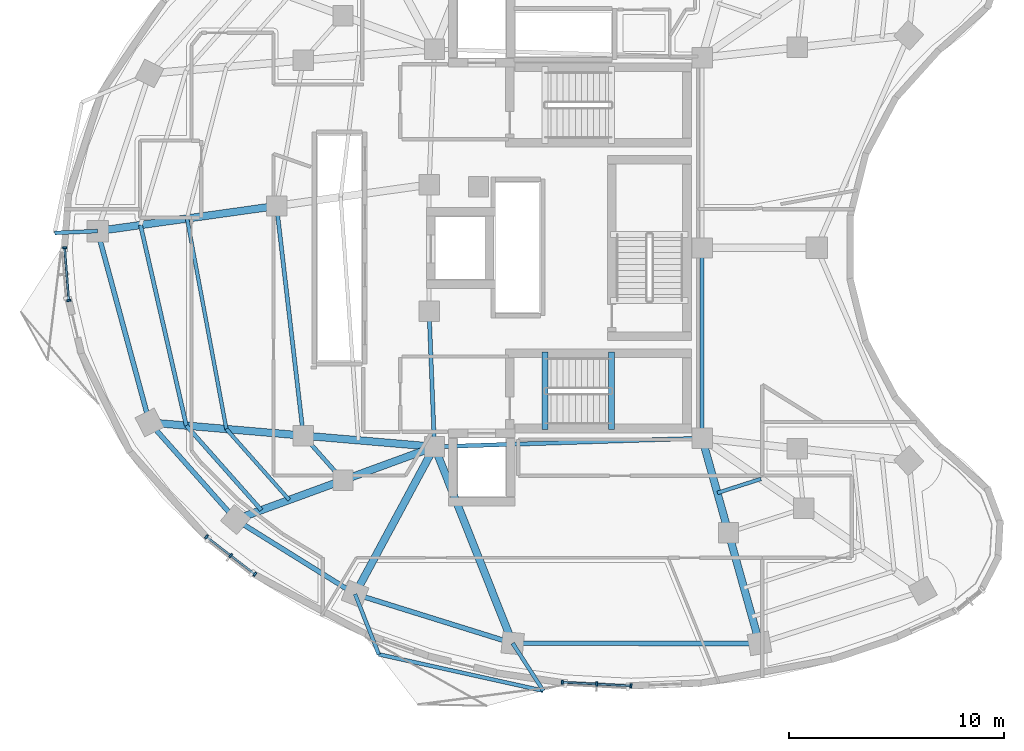
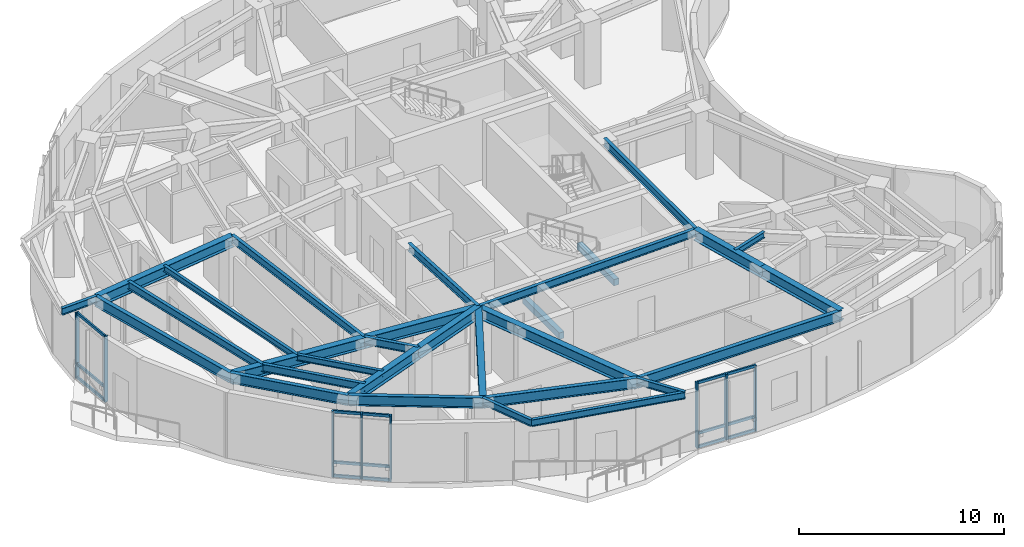
# One storey, part 2 of 13: 30 beams, 23 members, 3 elements without a shape of their own.
"""IFC4 building model written with IfcOpenShell, lengths in metres."""

from ifc_helpers import new_model, si_unit, direction, frame, origin, origin_2d, place, context, subcontext, project, spatial, rectangle, i_section, extrude, material, layer, layer_set, material_profile, profile_set, type_object, element, aggregate, save


model = new_model("IFC4")

# Units and contexts
model_context = context("Model", 3, precision=1e-05, world=origin(), true_north=direction((0.0, 1.0)))
body_context = subcontext(model_context, "Body", "Model", "MODEL_VIEW")
ifc_project = project(units=[si_unit("LENGTHUNIT", "METRE"), si_unit("AREAUNIT", "SQUARE_METRE"), si_unit("VOLUMEUNIT", "CUBIC_METRE"), si_unit("PLANEANGLEUNIT", "RADIAN"), si_unit("MASSUNIT", "GRAM", prefix="KILO")], contexts=[model_context])

# Site, building, storey
site_placement = place(None, origin())
site = spatial("IfcSite", under=ifc_project, at=site_placement, CompositionType="ELEMENT")
building_placement = place(site_placement, origin())
building = spatial("IfcBuilding", under=site, at=building_placement, Name="Korentha Bioscience Tower", CompositionType="ELEMENT")
storey_placement = place(building_placement, frame((0.0, 0.0, 192.0)))
storey = spatial("IfcBuildingStorey", under=building, at=storey_placement, Name="L44", CompositionType="ELEMENT", Elevation=192.0)

# Beams
ifc_material_1 = material(Name="Concrete C50", Category="concrete")
ifc_material_profile_1 = material_profile(ifc_material_1, rectangle(XDim=0.280029296875, YDim=0.3798828125, at=origin_2d()), Name="Concrete C50")
ifc_profile_set_1 = profile_set([ifc_material_profile_1], Name="Concrete C50 (ST-HB380)")
beam_type_1 = type_object("IfcBeamType", Name="Concrete Stair Header Beam RC 280x380", PredefinedType="BEAM", material=ifc_profile_set_1)
for number, where, z_axis, x_axis, name in (
    (1, (30.25, 18.550048828125, -0.18994140625), (0.0, 1.0, 0.0), (-1.0, 0.0, 0.0), "L44 ST-2 Concrete Stair Header Beam"),
    (2, (33.330078125, 18.550048828125, 1.909912109375), (0.0, 1.0, 0.0), (-1.0, 0.0, 0.0), "L44 ST-2 Half-Landing Header Beam 1"),
):
    element("IfcBeam", number, at=place(storey_placement, frame(where, z_axis=z_axis, x_axis=x_axis)), inside=storey, type_object=beam_type_1, Name=name, PredefinedType="BEAM", context=body_context, shape_type="SweptSolid", body=[
        extrude(rectangle(XDim=0.280029296875, YDim=0.3798828125, at=origin_2d()), origin(), (0.0, 0.0, 1.0), 3.599853515625),
    ])
ifc_material_2 = material(Name="Steel S355", Category="steel")
ifc_material_profile_2 = material_profile(ifc_material_2, i_section(OverallWidth=0.18994140625, OverallDepth=0.45703125, WebThickness=0.009033203125, FlangeThickness=0.014404296875, at=origin_2d()), Name="Steel S355")
ifc_profile_set_2 = profile_set([ifc_material_profile_2], Name="Steel S355 (MB-460)")
beam_type_2 = type_object("IfcBeamType", Name="Mid-Ring Tie Girder W460x74", PredefinedType="BEAM", material=ifc_profile_set_2)
beam_1_placement = place(storey_placement, frame((17.75341796875, 28.95458984375, 3.67138671875), z_axis=(0.115840395246, -0.993267840428, 0.0), x_axis=(0.993267840428, 0.115840395246, 0.0)))
element("IfcBeam", 3, at=beam_1_placement, inside=storey, type_object=beam_type_2, Name="L44 Mid-Ring Tie Girder 07", PredefinedType="BEAM", context=body_context, shape_type="SweptSolid", body=[
    extrude(i_section(OverallWidth=0.18994140625, OverallDepth=0.45703125, WebThickness=0.009033203125, FlangeThickness=0.014404296875, at=origin_2d()), origin(), (0.0, 0.0, 1.0), 10.757080078125),
])
beam_2_placement = place(storey_placement, frame((18.99951171875, 18.27001953125, 3.67138671875), z_axis=(0.663512238321, -0.748165429299, 0.0), x_axis=(0.748165429299, 0.663512238321, 0.0)))
element("IfcBeam", 4, at=beam_2_placement, inside=storey, type_object=beam_type_2, Name="L44 Mid-Ring Tie Girder 08", PredefinedType="BEAM", context=body_context, shape_type="SweptSolid", body=[
    extrude(i_section(OverallWidth=0.18994140625, OverallDepth=0.45703125, WebThickness=0.009033203125, FlangeThickness=0.014404296875, at=origin_2d()), origin(), (0.0, 0.0, 1.0), 2.77734375),
])
beam_3_placement = place(storey_placement, frame((24.85009765625, 24.050048828125, 3.67138671875), z_axis=(0.039651025576, -0.999213588864, 0.0), x_axis=(0.999213588864, 0.039651025576, 0.0)))
element("IfcBeam", 5, at=beam_3_placement, inside=storey, type_object=beam_type_2, Name="L44 Core Ring Tie Girder 04", PredefinedType="BEAM", context=body_context, shape_type="SweptSolid", body=[
    extrude(i_section(OverallWidth=0.18994140625, OverallDepth=0.45703125, WebThickness=0.009033203125, FlangeThickness=0.014404296875, at=origin_2d()), origin(), (0.0, 0.0, 1.0), 6.304931640625),
])
beam_4_placement = place(storey_placement, frame((25.10009765625, 17.75, 3.67138671875), z_axis=(0.999484526071, 0.032104238723, 0.0), x_axis=(-0.032104238723, 0.999484526071, 0.0)))
element("IfcBeam", 6, at=beam_4_placement, inside=storey, type_object=beam_type_2, Name="L44 Core Ring Tie Girder 05", PredefinedType="BEAM", context=body_context, shape_type="SweptSolid", body=[
    extrude(i_section(OverallWidth=0.18994140625, OverallDepth=0.45703125, WebThickness=0.009033203125, FlangeThickness=0.014404296875, at=origin_2d()), origin(), (0.0, 0.0, 1.0), 12.456298828125),
])
beam_5_placement = place(storey_placement, frame((37.550048828125, 18.14990234375, 3.67138671875), z_axis=(0.0, 1.0, 0.0), x_axis=(-1.0, 0.0, 0.0)))
element("IfcBeam", 7, at=beam_5_placement, inside=storey, type_object=beam_type_2, Name="L44 Core Ring Tie Girder 06", PredefinedType="BEAM", context=body_context, shape_type="SweptSolid", body=[
    extrude(i_section(OverallWidth=0.18994140625, OverallDepth=0.45703125, WebThickness=0.009033203125, FlangeThickness=0.014404296875, at=origin_2d()), origin(), (0.0, 0.0, 1.0), 8.85009765625),
])

# Curtain wall, members
ifc_material_3 = material(Name="Thermally Broken Aluminium Frame", Category="aluminium")
ifc_layer = layer(ifc_material_3, 0.219970703125, Name="Thermally Broken Aluminium Frame")
ifc_layer_set = layer_set([ifc_layer], Name="Thermally Broken Aluminium Frame (CW-T2)")
curtain_wall_type = type_object("IfcCurtainWallType", Name="Solar-Screened Lab Unitised Curtain Wall CW-T2", PredefinedType="USERDEFINED", material=ifc_layer_set)
curtain_wall_1_placement = place(storey_placement, origin())
curtain_wall_1 = element("IfcCurtainWall", 8, at=curtain_wall_1_placement, inside=storey, type_object=curtain_wall_type, Name="L44 Curtain Wall 19", ObjectType="UNITISED", PredefinedType="USERDEFINED")
ifc_material_4 = material(Name="Anodised Aluminium 6063-T6", Category="aluminium")
ifc_material_profile_3 = material_profile(ifc_material_4, rectangle(XDim=0.090087890625, YDim=0.199951171875, at=origin_2d()), Name="Anodised Aluminium 6063-T6")
ifc_profile_set_3 = profile_set([ifc_material_profile_3], Name="Anodised Aluminium 6063-T6 (CW-MUL)")
member_type_1 = type_object("IfcMemberType", Name="Mullion RECT 90x200", PredefinedType="MULLION", material=ifc_profile_set_3)
member_1_placement = place(storey_placement, frame((7.89599609375, 27.007568359375, 0.0), z_axis=(0.0, 0.0, 1.0), x_axis=(0.078030772566, -0.996950950916, 0.0)))
member_1 = element("IfcMember", 9, at=member_1_placement, type_object=member_type_1, Name="CW-L44-19 Mullion 1", PredefinedType="MULLION", context=body_context, shape_type="SweptSolid", body=[
    extrude(rectangle(XDim=0.090087890625, YDim=0.199951171875, at=origin_2d()), origin(), (0.0, 0.0, 1.0), 3.89990234375),
])
member_2_placement = place(storey_placement, frame((8.087890625, 24.5546875, 0.0), z_axis=(0.0, 0.0, 1.0), x_axis=(0.078030772566, -0.996950950916, 0.0)))
member_2 = element("IfcMember", 10, at=member_2_placement, type_object=member_type_1, Name="CW-L44-19 Mullion 2", PredefinedType="MULLION", context=body_context, shape_type="SweptSolid", body=[
    extrude(rectangle(XDim=0.090087890625, YDim=0.199951171875, at=origin_2d()), origin(), (0.0, 0.0, 1.0), 3.89990234375),
])

curtain_wall_2_placement = place(storey_placement, origin())
curtain_wall_2 = element("IfcCurtainWall", 11, at=curtain_wall_2_placement, inside=storey, type_object=curtain_wall_type, Name="L44 Curtain Wall 25", ObjectType="UNITISED", PredefinedType="USERDEFINED")
member_3_placement = place(storey_placement, frame((14.492431640625, 13.563232421875, 0.0), z_axis=(0.0, 0.0, 1.0), x_axis=(0.790546796919, -0.612401634454, 0.0)))
member_3 = element("IfcMember", 12, at=member_3_placement, type_object=member_type_1, Name="CW-L44-25 Mullion 1", PredefinedType="MULLION", context=body_context, shape_type="SweptSolid", body=[
    extrude(rectangle(XDim=0.090087890625, YDim=0.199951171875, at=origin_2d()), origin(), (0.0, 0.0, 1.0), 3.89990234375),
])
member_4_placement = place(storey_placement, frame((15.618896484375, 12.690673828125, 0.0), z_axis=(0.0, 0.0, 1.0), x_axis=(0.790546796919, -0.612401634454, 0.0)))
member_4 = element("IfcMember", 13, at=member_4_placement, type_object=member_type_1, Name="CW-L44-25 Mullion 2", PredefinedType="MULLION", context=body_context, shape_type="SweptSolid", body=[
    extrude(rectangle(XDim=0.090087890625, YDim=0.199951171875, at=origin_2d()), origin(), (0.0, 0.0, 1.0), 3.89990234375),
])
member_5_placement = place(storey_placement, frame((16.745361328125, 11.818115234375, 0.0), z_axis=(0.0, 0.0, 1.0), x_axis=(0.790546796919, -0.612401634454, 0.0)))
member_5 = element("IfcMember", 14, at=member_5_placement, type_object=member_type_1, Name="CW-L44-25 Mullion 3", PredefinedType="MULLION", context=body_context, shape_type="SweptSolid", body=[
    extrude(rectangle(XDim=0.090087890625, YDim=0.199951171875, at=origin_2d()), origin(), (0.0, 0.0, 1.0), 3.89990234375),
])

curtain_wall_3_placement = place(storey_placement, origin())
curtain_wall_3 = element("IfcCurtainWall", 15, at=curtain_wall_3_placement, inside=storey, type_object=curtain_wall_type, Name="L44 Curtain Wall 31", ObjectType="UNITISED", PredefinedType="USERDEFINED")
member_6_placement = place(storey_placement, frame((31.0517578125, 6.79541015625, 0.0), z_axis=(0.0, 0.0, 1.0), x_axis=(0.998637677307, -0.052180355139, 0.0)))
member_6 = element("IfcMember", 16, at=member_6_placement, type_object=member_type_1, Name="CW-L44-31 Mullion 1", PredefinedType="MULLION", context=body_context, shape_type="SweptSolid", body=[
    extrude(rectangle(XDim=0.090087890625, YDim=0.199951171875, at=origin_2d()), origin(), (0.0, 0.0, 1.0), 3.89990234375),
])
member_7_placement = place(storey_placement, frame((32.64794921875, 6.7119140625, 0.0), z_axis=(0.0, 0.0, 1.0), x_axis=(0.998637677307, -0.052180355139, 0.0)))
member_7 = element("IfcMember", 17, at=member_7_placement, type_object=member_type_1, Name="CW-L44-31 Mullion 2", PredefinedType="MULLION", context=body_context, shape_type="SweptSolid", body=[
    extrude(rectangle(XDim=0.090087890625, YDim=0.199951171875, at=origin_2d()), origin(), (0.0, 0.0, 1.0), 3.89990234375),
])
member_8_placement = place(storey_placement, frame((34.244140625, 6.628662109375, 0.0), z_axis=(0.0, 0.0, 1.0), x_axis=(0.998637677307, -0.052180355139, 0.0)))
member_8 = element("IfcMember", 18, at=member_8_placement, type_object=member_type_1, Name="CW-L44-31 Mullion 3", PredefinedType="MULLION", context=body_context, shape_type="SweptSolid", body=[
    extrude(rectangle(XDim=0.090087890625, YDim=0.199951171875, at=origin_2d()), origin(), (0.0, 0.0, 1.0), 3.89990234375),
])

# Beams
ifc_material_profile_4 = material_profile(ifc_material_2, i_section(OverallWidth=0.22802734375, OverallDepth=0.60791015625, WebThickness=0.01123046875, FlangeThickness=0.017333984375, at=origin_2d()), Name="Steel S355")
ifc_profile_set_4 = profile_set([ifc_material_profile_4], Name="Steel S355 (SB-610)")
beam_type_3 = type_object("IfcBeamType", Name="Perimeter Ring Spandrel Girder W610x113", PredefinedType="SPANDREL", material=ifc_profile_set_4)
beam_6_placement = place(storey_placement, frame((9.422607421875, 27.785888671875, 3.595947265625), z_axis=(0.261762629829, -0.965132284003, 0.0), x_axis=(0.965132284003, 0.261762629829, 0.0)))
element("IfcBeam", 19, at=beam_6_placement, inside=storey, type_object=beam_type_3, Name="L44 Perimeter Spandrel Girder 07", PredefinedType="SPANDREL", context=body_context, shape_type="SweptSolid", body=[
    extrude(i_section(OverallWidth=0.22802734375, OverallDepth=0.60791015625, WebThickness=0.01123046875, FlangeThickness=0.017333984375, at=origin_2d()), origin(), (0.0, 0.0, 1.0), 9.22705078125),
])
beam_7_placement = place(storey_placement, frame((11.837890625, 18.880615234375, 3.595947265625), z_axis=(0.663502544942, -0.748174025782, 0.0), x_axis=(0.748174025782, 0.663502544942, 0.0)))
element("IfcBeam", 20, at=beam_7_placement, inside=storey, type_object=beam_type_3, Name="L44 Perimeter Spandrel Girder 08", PredefinedType="SPANDREL", context=body_context, shape_type="SweptSolid", body=[
    extrude(i_section(OverallWidth=0.22802734375, OverallDepth=0.60791015625, WebThickness=0.01123046875, FlangeThickness=0.017333984375, at=origin_2d()), origin(), (0.0, 0.0, 1.0), 6.037841796875),
])
beam_8_placement = place(storey_placement, frame((15.843994140625, 14.36328125, 3.595947265625), z_axis=(0.848675740059, -0.528913497876, 0.0), x_axis=(0.528913497876, 0.848675740059, 0.0)))
element("IfcBeam", 21, at=beam_8_placement, inside=storey, type_object=beam_type_3, Name="L44 Perimeter Spandrel Girder 09", PredefinedType="SPANDREL", context=body_context, shape_type="SweptSolid", body=[
    extrude(i_section(OverallWidth=0.22802734375, OverallDepth=0.60791015625, WebThickness=0.01123046875, FlangeThickness=0.017333984375, at=origin_2d()), origin(), (0.0, 0.0, 1.0), 6.55322265625),
])
beam_9_placement = place(storey_placement, frame((21.405517578125, 10.897216796875, 3.595947265625), z_axis=(0.954638172607, -0.29776829818, 0.0), x_axis=(0.29776829818, 0.954638172607, 0.0)))
element("IfcBeam", 22, at=beam_9_placement, inside=storey, type_object=beam_type_3, Name="L44 Perimeter Spandrel Girder 10", PredefinedType="SPANDREL", context=body_context, shape_type="SweptSolid", body=[
    extrude(i_section(OverallWidth=0.22802734375, OverallDepth=0.60791015625, WebThickness=0.01123046875, FlangeThickness=0.017333984375, at=origin_2d()), origin(), (0.0, 0.0, 1.0), 7.682373046875),
])
beam_10_placement = place(storey_placement, frame((28.739501953125, 8.609619140625, 3.595947265625), z_axis=(0.99999988041, -0.000489059883, 0.0), x_axis=(0.000489059883, 0.99999988041, 0.0)))
element("IfcBeam", 23, at=beam_10_placement, inside=storey, type_object=beam_type_3, Name="L44 Perimeter Spandrel Girder 11", PredefinedType="SPANDREL", context=body_context, shape_type="SweptSolid", body=[
    extrude(i_section(OverallWidth=0.22802734375, OverallDepth=0.60791015625, WebThickness=0.01123046875, FlangeThickness=0.017333984375, at=origin_2d()), origin(), (0.0, 0.0, 1.0), 11.481689453125),
])
ifc_material_profile_5 = material_profile(ifc_material_2, i_section(OverallWidth=0.18994140625, OverallDepth=0.45703125, WebThickness=0.009033203125, FlangeThickness=0.014404296875, at=origin_2d()), Name="Steel S355")
ifc_profile_set_5 = profile_set([ifc_material_profile_5], Name="Steel S355 (RB-460)")
beam_type_4 = type_object("IfcBeamType", Name="Radial Laboratory Beam W460x74", PredefinedType="BEAM", material=ifc_profile_set_5)
beam_11_placement = place(storey_placement, frame((11.421875, 28.06640625, 3.67138671875), z_axis=(0.222990987745, -0.974820506239, 0.0), x_axis=(0.974820506239, 0.222990987745, 0.0)))
element("IfcBeam", 24, at=beam_11_placement, inside=storey, type_object=beam_type_4, Name="L44 Secondary Floor Beam JSTO-07", PredefinedType="BEAM", context=body_context, shape_type="SweptSolid", body=[
    extrude(i_section(OverallWidth=0.18994140625, OverallDepth=0.45703125, WebThickness=0.009033203125, FlangeThickness=0.014404296875, at=origin_2d()), origin(), (0.0, 0.0, 1.0), 9.5732421875),
])
beam_12_placement = place(storey_placement, frame((13.556640625, 18.734130859375, 3.67138671875), z_axis=(0.663495511182, -0.748180263467, 0.0), x_axis=(0.748180263467, 0.663495511182, 0.0)))
element("IfcBeam", 25, at=beam_12_placement, inside=storey, type_object=beam_type_4, Name="L44 Secondary Floor Beam JSTO-08", PredefinedType="BEAM", context=body_context, shape_type="SweptSolid", body=[
    extrude(i_section(OverallWidth=0.18994140625, OverallDepth=0.45703125, WebThickness=0.009033203125, FlangeThickness=0.014404296875, at=origin_2d()), origin(), (0.0, 0.0, 1.0), 5.255615234375),
])
ifc_material_profile_6 = material_profile(ifc_material_2, i_section(OverallWidth=0.35009765625, OverallDepth=0.64990234375, WebThickness=0.01611328125, FlangeThickness=0.02490234375, at=origin_2d()), Name="Steel S355")
ifc_profile_set_6 = profile_set([ifc_material_profile_6], Name="Steel S355 (RB-650)")
beam_type_5 = type_object("IfcBeamType", Name="Radial Laboratory Girder CVS 650x208", PredefinedType="BEAM", material=ifc_profile_set_6)
beam_13_placement = place(storey_placement, frame((17.75341796875, 28.95458984375, 3.574951171875), z_axis=(-0.990302735089, -0.138926213782, 0.0), x_axis=(0.138926213782, -0.990302735089, 0.0)))
element("IfcBeam", 26, at=beam_13_placement, inside=storey, type_object=beam_type_5, Name="L44 Outer Radial Girder 07", PredefinedType="BEAM", context=body_context, shape_type="SweptSolid", body=[
    extrude(i_section(OverallWidth=0.35009765625, OverallDepth=0.64990234375, WebThickness=0.01611328125, FlangeThickness=0.02490234375, at=origin_2d()), origin(), (0.0, 0.0, 1.0), 8.412353515625),
])
beam_14_placement = place(storey_placement, frame((25.10009765625, 17.75, 3.574951171875), z_axis=(-0.996386672138, 0.084932912264, 0.0), x_axis=(-0.084932912264, -0.996386672138, 0.0)))
element("IfcBeam", 27, at=beam_14_placement, inside=storey, type_object=beam_type_5, Name="L44 Inner Radial Girder 08", PredefinedType="BEAM", context=body_context, shape_type="SweptSolid", body=[
    extrude(i_section(OverallWidth=0.35009765625, OverallDepth=0.64990234375, WebThickness=0.01611328125, FlangeThickness=0.02490234375, at=origin_2d()), origin(), (0.0, 0.0, 1.0), 6.122802734375),
])
beam_15_placement = place(storey_placement, frame((18.99951171875, 18.27001953125, 3.574951171875), z_axis=(-0.996385111181, 0.084951222577, 0.0), x_axis=(-0.084951222577, -0.996385111181, 0.0)))
element("IfcBeam", 28, at=beam_15_placement, inside=storey, type_object=beam_type_5, Name="L44 Outer Radial Girder 08", PredefinedType="BEAM", context=body_context, shape_type="SweptSolid", body=[
    extrude(i_section(OverallWidth=0.35009765625, OverallDepth=0.64990234375, WebThickness=0.01611328125, FlangeThickness=0.02490234375, at=origin_2d()), origin(), (0.0, 0.0, 1.0), 7.1875),
])
beam_16_placement = place(storey_placement, frame((25.10009765625, 17.75, 3.574951171875), z_axis=(-0.939113952431, -0.343605856105, 0.0), x_axis=(0.343605856105, -0.939113952431, 0.0)))
element("IfcBeam", 29, at=beam_16_placement, inside=storey, type_object=beam_type_5, Name="L44 Inner Radial Girder 09", PredefinedType="BEAM", context=body_context, shape_type="SweptSolid", body=[
    extrude(i_section(OverallWidth=0.35009765625, OverallDepth=0.64990234375, WebThickness=0.01611328125, FlangeThickness=0.02490234375, at=origin_2d()), origin(), (0.0, 0.0, 1.0), 4.533935546875),
])
beam_17_placement = place(storey_placement, frame((20.84228515625, 16.192138671875, 3.574951171875), z_axis=(-0.939109855566, -0.343617053097, 0.0), x_axis=(0.343617053097, -0.939109855566, 0.0)))
element("IfcBeam", 30, at=beam_17_placement, inside=storey, type_object=beam_type_5, Name="L44 Outer Radial Girder 09", PredefinedType="BEAM", context=body_context, shape_type="SweptSolid", body=[
    extrude(i_section(OverallWidth=0.35009765625, OverallDepth=0.64990234375, WebThickness=0.01611328125, FlangeThickness=0.02490234375, at=origin_2d()), origin(), (0.0, 0.0, 1.0), 5.322265625),
])
beam_18_placement = place(storey_placement, frame((25.10009765625, 17.75, 3.574951171875), z_axis=(-0.474559790141, -0.880223270302, 0.0), x_axis=(0.880223270302, -0.474559790141, 0.0)))
element("IfcBeam", 31, at=beam_18_placement, inside=storey, type_object=beam_type_5, Name="L44 Radial Girder 10", PredefinedType="BEAM", context=body_context, shape_type="SweptSolid", body=[
    extrude(i_section(OverallWidth=0.35009765625, OverallDepth=0.64990234375, WebThickness=0.01611328125, FlangeThickness=0.02490234375, at=origin_2d()), origin(), (0.0, 0.0, 1.0), 7.785400390625),
])
beam_19_placement = place(storey_placement, frame((25.10009765625, 17.75, 3.574951171875), z_axis=(0.369922682955, -0.929062542909, 0.0), x_axis=(0.929062542909, 0.369922682955, 0.0)))
element("IfcBeam", 32, at=beam_19_placement, inside=storey, type_object=beam_type_5, Name="L44 Radial Girder 11", PredefinedType="BEAM", context=body_context, shape_type="SweptSolid", body=[
    extrude(i_section(OverallWidth=0.35009765625, OverallDepth=0.64990234375, WebThickness=0.01611328125, FlangeThickness=0.02490234375, at=origin_2d()), origin(), (0.0, 0.0, 1.0), 9.83837890625),
])
beam_20_placement = place(storey_placement, frame((37.550048828125, 18.14990234375, 3.574951171875), z_axis=(0.269477001654, -0.963006825303, 0.0), x_axis=(0.963006825303, 0.269477001654, 0.0)))
element("IfcBeam", 33, at=beam_20_placement, inside=storey, type_object=beam_type_5, Name="L44 Inner Radial Girder 12", PredefinedType="BEAM", context=body_context, shape_type="SweptSolid", body=[
    extrude(i_section(OverallWidth=0.35009765625, OverallDepth=0.64990234375, WebThickness=0.01611328125, FlangeThickness=0.02490234375, at=origin_2d()), origin(), (0.0, 0.0, 1.0), 4.559814453125),
])
beam_21_placement = place(storey_placement, frame((38.77880859375, 13.7587890625, 3.574951171875), z_axis=(0.269464128344, -0.963010427532, 0.0), x_axis=(0.963010427532, 0.269464128344, 0.0)))
element("IfcBeam", 34, at=beam_21_placement, inside=storey, type_object=beam_type_5, Name="L44 Outer Radial Girder 12", PredefinedType="BEAM", context=body_context, shape_type="SweptSolid", body=[
    extrude(i_section(OverallWidth=0.35009765625, OverallDepth=0.64990234375, WebThickness=0.01611328125, FlangeThickness=0.02490234375, at=origin_2d()), origin(), (0.0, 0.0, 1.0), 5.352783203125),
])
ifc_material_profile_7 = material_profile(ifc_material_2, i_section(OverallWidth=0.1708984375, OverallDepth=0.35498046875, WebThickness=0.007080078125, FlangeThickness=0.01171875, at=origin_2d()), Name="Steel S355")
ifc_profile_set_7 = profile_set([ifc_material_profile_7], Name="Steel S355 (JB-360)")
beam_type_6 = type_object("IfcBeamType", Name="Secondary Laboratory Joist W360x51", PredefinedType="JOIST", material=ifc_profile_set_7)
beam_22_placement = place(storey_placement, frame((13.587890625, 28.3701171875, 3.722412109375), z_axis=(0.183736713841, -0.982975493076, 0.0), x_axis=(0.982975493076, 0.183736713841, 0.0)))
element("IfcBeam", 35, at=beam_22_placement, inside=storey, type_object=beam_type_6, Name="L44 Secondary Floor Beam JST-07", PredefinedType="JOIST", context=body_context, shape_type="SweptSolid", body=[
    extrude(i_section(OverallWidth=0.1708984375, OverallDepth=0.35498046875, WebThickness=0.007080078125, FlangeThickness=0.01171875, at=origin_2d()), origin(), (0.0, 0.0, 1.0), 9.96435546875),
])
beam_23_placement = place(storey_placement, frame((15.418701171875, 18.575439453125, 3.722412109375), z_axis=(0.663462598754, -0.748209449322, 0.0), x_axis=(0.748209449322, 0.663462598754, 0.0)))
element("IfcBeam", 36, at=beam_23_placement, inside=storey, type_object=beam_type_6, Name="L44 Secondary Floor Beam JST-08", PredefinedType="JOIST", context=body_context, shape_type="SweptSolid", body=[
    extrude(i_section(OverallWidth=0.1708984375, OverallDepth=0.35498046875, WebThickness=0.007080078125, FlangeThickness=0.01171875, at=origin_2d()), origin(), (0.0, 0.0, 1.0), 4.40771484375),
])
beam_24_placement = place(storey_placement, frame((38.2626953125, 15.60302734375, 3.722412109375), z_axis=(0.952010669267, 0.306064838885, 0.0), x_axis=(-0.306064838885, 0.952010669267, 0.0)))
element("IfcBeam", 37, at=beam_24_placement, inside=storey, type_object=beam_type_6, Name="L44 Inner Bay Joist 12", PredefinedType="JOIST", context=body_context, shape_type="SweptSolid", body=[
    extrude(i_section(OverallWidth=0.1708984375, OverallDepth=0.35498046875, WebThickness=0.007080078125, FlangeThickness=0.01171875, at=origin_2d()), origin(), (0.0, 0.0, 1.0), 2.1298828125),
])
ifc_material_profile_8 = material_profile(ifc_material_2, i_section(OverallWidth=0.177978515625, OverallDepth=0.406982421875, WebThickness=0.0078125, FlangeThickness=0.0126953125, at=origin_2d()), Name="Steel S355")
ifc_profile_set_8 = profile_set([ifc_material_profile_8], Name="Steel S355 (CB-410)")
beam_type_7 = type_object("IfcBeamType", Name="Sun-Ledge Cantilever Beam W410x60", PredefinedType="BEAM", material=ifc_profile_set_8)
beam_25_placement = place(storey_placement, frame((9.422607421875, 27.785888671875, 3.698486328125), z_axis=(-0.999054077137, -0.043485065888, 0.0), x_axis=(0.043485065888, -0.999054077137, 0.0)))
element("IfcBeam", 38, at=beam_25_placement, inside=storey, type_object=beam_type_7, Name="L44 Balcony Cantilever Bracket B-L45-02", PredefinedType="BEAM", context=body_context, shape_type="SweptSolid", body=[
    extrude(i_section(OverallWidth=0.177978515625, OverallDepth=0.406982421875, WebThickness=0.0078125, FlangeThickness=0.0126953125, at=origin_2d()), origin(), (0.0, 0.0, 1.0), 1.9931640625),
])
beam_26_placement = place(storey_placement, frame((21.405517578125, 10.897216796875, 3.698486328125), z_axis=(0.366329003488, -0.930485390107, 0.0), x_axis=(0.930485390107, 0.366329003488, 0.0)))
element("IfcBeam", 39, at=beam_26_placement, inside=storey, type_object=beam_type_7, Name="L44 Balcony Cantilever Bracket A-L45-03", PredefinedType="BEAM", context=body_context, shape_type="SweptSolid", body=[
    extrude(i_section(OverallWidth=0.177978515625, OverallDepth=0.406982421875, WebThickness=0.0078125, FlangeThickness=0.0126953125, at=origin_2d()), origin(), (0.0, 0.0, 1.0), 3.013671875),
])
beam_27_placement = place(storey_placement, frame((28.739501953125, 8.609619140625, 3.698486328125), z_axis=(0.541648853106, -0.84060485362, 0.0), x_axis=(0.84060485362, 0.541648853106, 0.0)))
element("IfcBeam", 40, at=beam_27_placement, inside=storey, type_object=beam_type_7, Name="L44 Balcony Cantilever Bracket B-L45-03", PredefinedType="BEAM", context=body_context, shape_type="SweptSolid", body=[
    extrude(i_section(OverallWidth=0.177978515625, OverallDepth=0.406982421875, WebThickness=0.0078125, FlangeThickness=0.0126953125, at=origin_2d()), origin(), (0.0, 0.0, 1.0), 2.629638671875),
])
beam_28_placement = place(storey_placement, frame((22.509521484375, 8.093017578125, 3.698486328125), z_axis=(0.976378662051, -0.21606644416, 0.0), x_axis=(0.21606644416, 0.976378662051, 0.0)))
element("IfcBeam", 41, at=beam_28_placement, inside=storey, type_object=beam_type_7, Name="L44 Balcony Edge Trimmer Beam L45-03", PredefinedType="BEAM", context=body_context, shape_type="SweptSolid", body=[
    extrude(i_section(OverallWidth=0.177978515625, OverallDepth=0.406982421875, WebThickness=0.0078125, FlangeThickness=0.0126953125, at=origin_2d()), origin(), (0.0, 0.0, 1.0), 7.83935546875),
])

# Member
ifc_material_profile_9 = material_profile(ifc_material_4, rectangle(XDim=0.090087890625, YDim=0.159912109375, at=origin_2d()), Name="Anodised Aluminium 6063-T6")
ifc_profile_set_9 = profile_set([ifc_material_profile_9], Name="Anodised Aluminium 6063-T6 (CW-TRN)")
member_type_2 = type_object("IfcMemberType", Name="Transom RECT 90x160", PredefinedType="USERDEFINED", material=ifc_profile_set_9)
member_9_placement = place(storey_placement, frame((7.8994140625, 26.962646484375, 0.044921875), z_axis=(0.078074822466, -0.996947502177, 0.0), x_axis=(0.996947502177, 0.078074822466, 0.0)))
member_9 = element("IfcMember", 42, at=member_9_placement, type_object=member_type_2, Name="CW-L44-19 Bay 1 Transom 1", ObjectType="TRANSOM", PredefinedType="USERDEFINED", context=body_context, shape_type="SweptSolid", body=[
    extrude(rectangle(XDim=0.090087890625, YDim=0.159912109375, at=origin_2d()), origin(), (0.0, 0.0, 1.0), 2.370361328125),
])

member_10_placement = place(storey_placement, frame((7.8994140625, 26.962646484375, 0.85009765625), z_axis=(0.078074822466, -0.996947502177, 0.0), x_axis=(0.996947502177, 0.078074822466, 0.0)))
member_10 = element("IfcMember", 43, at=member_10_placement, type_object=member_type_2, Name="CW-L44-19 Bay 1 Transom 2", ObjectType="TRANSOM", PredefinedType="USERDEFINED", context=body_context, shape_type="SweptSolid", body=[
    extrude(rectangle(XDim=0.090087890625, YDim=0.159912109375, at=origin_2d()), origin(), (0.0, 0.0, 1.0), 2.370361328125),
])

member_11_placement = place(storey_placement, frame((7.8994140625, 26.962646484375, 3.85498046875), z_axis=(0.078074822466, -0.996947502177, 0.0), x_axis=(0.996947502177, 0.078074822466, 0.0)))
member_11 = element("IfcMember", 44, at=member_11_placement, type_object=member_type_2, Name="CW-L44-19 Bay 1 Transom 3", ObjectType="TRANSOM", PredefinedType="USERDEFINED", context=body_context, shape_type="SweptSolid", body=[
    extrude(rectangle(XDim=0.090087890625, YDim=0.159912109375, at=origin_2d()), origin(), (0.0, 0.0, 1.0), 2.370361328125),
])

aggregate(curtain_wall_1, [member_1, member_2, member_9, member_10, member_11])

member_12_placement = place(storey_placement, frame((14.528076171875, 13.535888671875, 0.044921875), z_axis=(0.790463754503, -0.612508818563, 0.0), x_axis=(0.612508818563, 0.790463754503, 0.0)))
member_12 = element("IfcMember", 45, at=member_12_placement, type_object=member_type_2, Name="CW-L44-25 Bay 1 Transom 1", ObjectType="TRANSOM", PredefinedType="USERDEFINED", context=body_context, shape_type="SweptSolid", body=[
    extrude(rectangle(XDim=0.090087890625, YDim=0.159912109375, at=origin_2d()), origin(), (0.0, 0.0, 1.0), 1.3349609375),
])

member_13_placement = place(storey_placement, frame((14.528076171875, 13.535888671875, 0.85009765625), z_axis=(0.790463754503, -0.612508818563, 0.0), x_axis=(0.612508818563, 0.790463754503, 0.0)))
member_13 = element("IfcMember", 46, at=member_13_placement, type_object=member_type_2, Name="CW-L44-25 Bay 1 Transom 2", ObjectType="TRANSOM", PredefinedType="USERDEFINED", context=body_context, shape_type="SweptSolid", body=[
    extrude(rectangle(XDim=0.090087890625, YDim=0.159912109375, at=origin_2d()), origin(), (0.0, 0.0, 1.0), 1.3349609375),
])

member_14_placement = place(storey_placement, frame((14.528076171875, 13.535888671875, 3.85498046875), z_axis=(0.790463754503, -0.612508818563, 0.0), x_axis=(0.612508818563, 0.790463754503, 0.0)))
member_14 = element("IfcMember", 47, at=member_14_placement, type_object=member_type_2, Name="CW-L44-25 Bay 1 Transom 3", ObjectType="TRANSOM", PredefinedType="USERDEFINED", context=body_context, shape_type="SweptSolid", body=[
    extrude(rectangle(XDim=0.090087890625, YDim=0.159912109375, at=origin_2d()), origin(), (0.0, 0.0, 1.0), 1.3349609375),
])

member_15_placement = place(storey_placement, frame((15.654541015625, 12.6630859375, 0.044921875), z_axis=(0.79055230676, -0.612394521756, 0.0), x_axis=(0.612394521756, 0.79055230676, 0.0)))
member_15 = element("IfcMember", 48, at=member_15_placement, type_object=member_type_2, Name="CW-L44-25 Bay 2 Transom 1", ObjectType="TRANSOM", PredefinedType="USERDEFINED", context=body_context, shape_type="SweptSolid", body=[
    extrude(rectangle(XDim=0.090087890625, YDim=0.159912109375, at=origin_2d()), origin(), (0.0, 0.0, 1.0), 1.334716796875),
])

member_16_placement = place(storey_placement, frame((15.654541015625, 12.6630859375, 0.85009765625), z_axis=(0.79055230676, -0.612394521756, 0.0), x_axis=(0.612394521756, 0.79055230676, 0.0)))
member_16 = element("IfcMember", 49, at=member_16_placement, type_object=member_type_2, Name="CW-L44-25 Bay 2 Transom 2", ObjectType="TRANSOM", PredefinedType="USERDEFINED", context=body_context, shape_type="SweptSolid", body=[
    extrude(rectangle(XDim=0.090087890625, YDim=0.159912109375, at=origin_2d()), origin(), (0.0, 0.0, 1.0), 1.334716796875),
])

member_17_placement = place(storey_placement, frame((15.654541015625, 12.6630859375, 3.85498046875), z_axis=(0.79055230676, -0.612394521756, 0.0), x_axis=(0.612394521756, 0.79055230676, 0.0)))
member_17 = element("IfcMember", 50, at=member_17_placement, type_object=member_type_2, Name="CW-L44-25 Bay 2 Transom 3", ObjectType="TRANSOM", PredefinedType="USERDEFINED", context=body_context, shape_type="SweptSolid", body=[
    extrude(rectangle(XDim=0.090087890625, YDim=0.159912109375, at=origin_2d()), origin(), (0.0, 0.0, 1.0), 1.334716796875),
])

aggregate(curtain_wall_2, [member_3, member_4, member_5, member_12, member_13, member_14, member_15, member_16, member_17])

member_18_placement = place(storey_placement, frame((31.0966796875, 6.793212890625, 0.044921875), z_axis=(0.998632544532, -0.052278494633, 0.0), x_axis=(0.052278494633, 0.998632544532, 0.0)))
member_18 = element("IfcMember", 51, at=member_18_placement, type_object=member_type_2, Name="CW-L44-31 Bay 1 Transom 1", ObjectType="TRANSOM", PredefinedType="USERDEFINED", context=body_context, shape_type="SweptSolid", body=[
    extrude(rectangle(XDim=0.090087890625, YDim=0.159912109375, at=origin_2d()), origin(), (0.0, 0.0, 1.0), 1.50830078125),
])

member_19_placement = place(storey_placement, frame((31.0966796875, 6.793212890625, 0.85009765625), z_axis=(0.998632544532, -0.052278494633, 0.0), x_axis=(0.052278494633, 0.998632544532, 0.0)))
member_19 = element("IfcMember", 52, at=member_19_placement, type_object=member_type_2, Name="CW-L44-31 Bay 1 Transom 2", ObjectType="TRANSOM", PredefinedType="USERDEFINED", context=body_context, shape_type="SweptSolid", body=[
    extrude(rectangle(XDim=0.090087890625, YDim=0.159912109375, at=origin_2d()), origin(), (0.0, 0.0, 1.0), 1.50830078125),
])

member_20_placement = place(storey_placement, frame((31.0966796875, 6.793212890625, 3.85498046875), z_axis=(0.998632544532, -0.052278494633, 0.0), x_axis=(0.052278494633, 0.998632544532, 0.0)))
member_20 = element("IfcMember", 53, at=member_20_placement, type_object=member_type_2, Name="CW-L44-31 Bay 1 Transom 3", ObjectType="TRANSOM", PredefinedType="USERDEFINED", context=body_context, shape_type="SweptSolid", body=[
    extrude(rectangle(XDim=0.090087890625, YDim=0.159912109375, at=origin_2d()), origin(), (0.0, 0.0, 1.0), 1.50830078125),
])

member_21_placement = place(storey_placement, frame((32.69287109375, 6.709716796875, 0.044921875), z_axis=(0.998640981416, -0.052117082012, 0.0), x_axis=(0.052117082012, 0.998640981416, 0.0)))
member_21 = element("IfcMember", 54, at=member_21_placement, type_object=member_type_2, Name="CW-L44-31 Bay 2 Transom 1", ObjectType="TRANSOM", PredefinedType="USERDEFINED", context=body_context, shape_type="SweptSolid", body=[
    extrude(rectangle(XDim=0.090087890625, YDim=0.159912109375, at=origin_2d()), origin(), (0.0, 0.0, 1.0), 1.50830078125),
])

member_22_placement = place(storey_placement, frame((32.69287109375, 6.709716796875, 0.85009765625), z_axis=(0.998640981416, -0.052117082012, 0.0), x_axis=(0.052117082012, 0.998640981416, 0.0)))
member_22 = element("IfcMember", 55, at=member_22_placement, type_object=member_type_2, Name="CW-L44-31 Bay 2 Transom 2", ObjectType="TRANSOM", PredefinedType="USERDEFINED", context=body_context, shape_type="SweptSolid", body=[
    extrude(rectangle(XDim=0.090087890625, YDim=0.159912109375, at=origin_2d()), origin(), (0.0, 0.0, 1.0), 1.50830078125),
])

member_23_placement = place(storey_placement, frame((32.69287109375, 6.709716796875, 3.85498046875), z_axis=(0.998640981416, -0.052117082012, 0.0), x_axis=(0.052117082012, 0.998640981416, 0.0)))
member_23 = element("IfcMember", 56, at=member_23_placement, type_object=member_type_2, Name="CW-L44-31 Bay 2 Transom 3", ObjectType="TRANSOM", PredefinedType="USERDEFINED", context=body_context, shape_type="SweptSolid", body=[
    extrude(rectangle(XDim=0.090087890625, YDim=0.159912109375, at=origin_2d()), origin(), (0.0, 0.0, 1.0), 1.50830078125),
])

aggregate(curtain_wall_3, [member_6, member_7, member_8, member_18, member_19, member_20, member_21, member_22, member_23])

save(model, "model.ifc")
